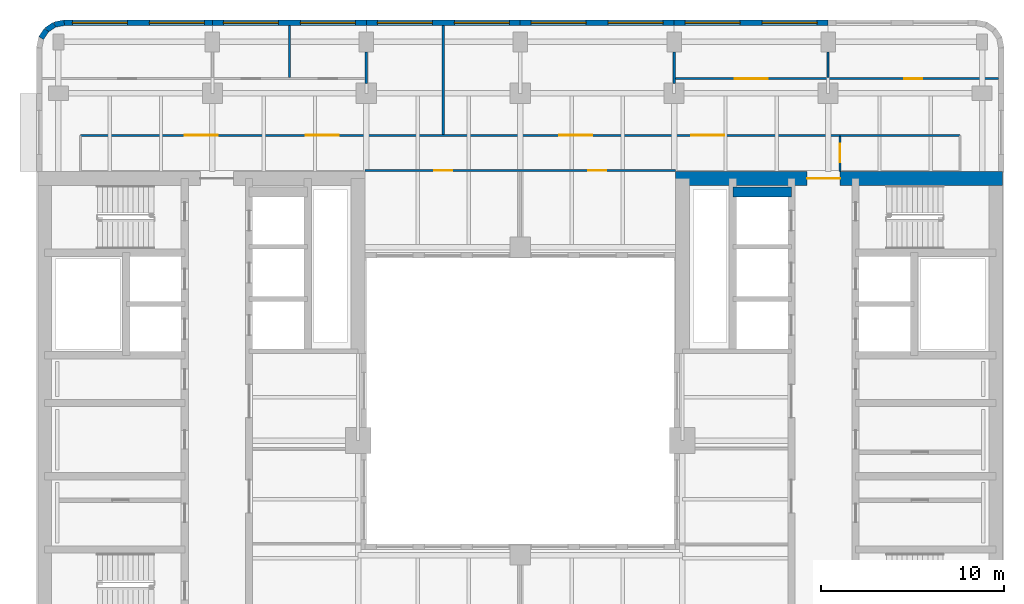
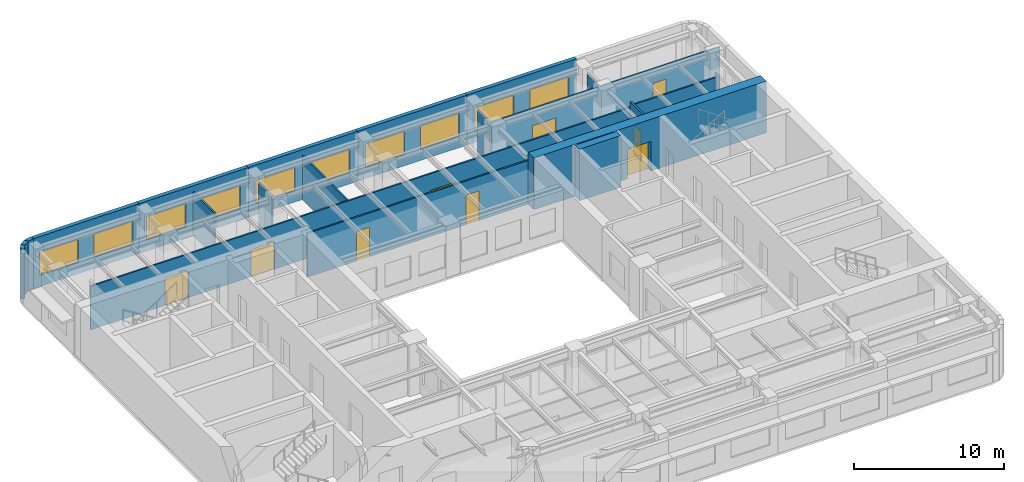
# One storey, part 7 of 11: 20 walls, 10 doors, 10 windows, 20 openings.
"""IFC4 building model written with IfcOpenShell, lengths in metres."""

import ifcopenshell
import ifcopenshell.guid

model = None  # the IFC model being written
_history = None  # IfcOwnerHistory: only IFC2X3 demands one
_inside = {}  # id of a spatial element -> (the spatial element, [elements in it])
_under = {}  # id of a project, library or spatial element -> (it, [spatial elements below it])
_declared = {}  # id of a project -> (the project, [libraries it declares])
_typed = {}  # id of a type object -> (the type object, [elements of that type])
_made_of = {}  # id of a material, layer set ... -> (it, [elements and type objects made of it])


def new_model(schema):
    """Start an empty IFC model of exactly this schema.

    Asked for "IFC4X3", IfcOpenShell would pick the latest addendum, in which some entities
    have other attributes; the version numbers below select the first issue.
    IFC2X3 requires an IfcOwnerHistory on every rooted entity: one is made here for all.
    """
    global model, _history
    if schema == "IFC4X3":
        model = ifcopenshell.file(schema_version=(4, 3, 0, 0))
    else:
        model = ifcopenshell.file(schema=schema)
    _inside.clear()
    _under.clear()
    _declared.clear()
    _typed.clear()
    _made_of.clear()
    _history = None
    if model.schema == "IFC2X3":
        org = make("IfcOrganization", Name="unknown")
        user = make(
            "IfcPersonAndOrganization",
            ThePerson=make("IfcPerson", FamilyName="unknown"),
            TheOrganization=org,
        )
        app = make(
            "IfcApplication",
            ApplicationDeveloper=org,
            Version="unknown",
            ApplicationFullName="unknown",
            ApplicationIdentifier="unknown",
        )
        _history = make(
            "IfcOwnerHistory",
            OwningUser=user,
            OwningApplication=app,
            ChangeAction="ADDED",
            CreationDate=0,
        )
    return model


def make(cls, **values):
    """One entity of the class cls with the attributes given. An attribute that is None is left unset."""
    return model.create_entity(
        cls, **{name: value for name, value in values.items() if value is not None}
    )


def rooted(cls, **values):
    """An entity with a GlobalId (a new one), such as an element, a storey or a relation."""
    return make(cls, GlobalId=ifcopenshell.guid.new(), OwnerHistory=_history, **values)


def si_unit(unit_type, name, prefix=None):
    """IfcSIUnit, for example si_unit("LENGTHUNIT", "METRE", prefix="MILLI")."""
    return make("IfcSIUnit", UnitType=unit_type, Prefix=prefix, Name=name)


def assignment(units):
    """IfcUnitAssignment: the units of a project."""
    return None if units is None else make("IfcUnitAssignment", Units=units)


def point(xyz):
    """IfcCartesianPoint."""
    return None if xyz is None else make("IfcCartesianPoint", Coordinates=xyz)


def direction(xyz):
    """IfcDirection."""
    return None if xyz is None else make("IfcDirection", DirectionRatios=xyz)


def frame(location, z_axis=None, x_axis=None):
    """IfcAxis2Placement3D, a coordinate frame: its origin and axes. An axis left out is left unset."""
    return make(
        "IfcAxis2Placement3D",
        Location=point(location),
        Axis=direction(z_axis),
        RefDirection=direction(x_axis),
    )


def frame_2d(location, x_axis=None):
    """IfcAxis2Placement2D, a coordinate frame in the plane: its origin and x axis."""
    return make(
        "IfcAxis2Placement2D", Location=point(location), RefDirection=direction(x_axis)
    )


def origin():
    """The frame at (0, 0, 0) with its axes left unset."""
    return frame((0.0, 0.0, 0.0))


def place(relative_to, where):
    """IfcLocalPlacement: puts the frame where relative to a parent placement (None: the world)."""
    return make(
        "IfcLocalPlacement", PlacementRelTo=relative_to, RelativePlacement=where
    )


def context(
    kind, dimensions, precision=None, world=None, true_north=None, identifier=None
):
    """IfcGeometricRepresentationContext, for example the 3D "Model" context."""
    return make(
        "IfcGeometricRepresentationContext",
        ContextIdentifier=identifier,
        ContextType=kind,
        CoordinateSpaceDimension=dimensions,
        Precision=precision,
        WorldCoordinateSystem=world,
        TrueNorth=true_north,
    )


def subcontext(parent, identifier, kind, view, scale=None):
    """IfcGeometricRepresentationSubContext, for example "Body" below "Model"."""
    return make(
        "IfcGeometricRepresentationSubContext",
        ContextIdentifier=identifier,
        ContextType=kind,
        ParentContext=parent,
        TargetScale=scale,
        TargetView=view,
    )


def project(units=None, contexts=None):
    """IfcProject with its units and contexts."""
    return rooted(
        "IfcProject",
        Name="project",
        RepresentationContexts=contexts,
        UnitsInContext=assignment(units),
    )


def spatial(cls, under=None, at=None, **own):
    """A site, building, storey or space (cls), placed at a placement, below another one or the project."""
    s = rooted(cls, ObjectPlacement=at, **own)
    if under is not None:
        _under.setdefault(under.id(), (under, []))[1].append(s)
    return s


def profile(cls, at=None, kind="AREA", **sizes):
    """A parametric profile (cls). Its sizes go by their IFC names, for example OverallWidth=200.0."""
    return make(cls, ProfileType=kind, Position=at, **sizes)


def rectangle(**sizes):
    """IfcRectangleProfileDef."""
    return profile("IfcRectangleProfileDef", **sizes)


def extrude(swept, where, along, depth):
    """IfcExtrudedAreaSolid: the profile swept, set in the frame where, extruded along a direction by depth."""
    return make(
        "IfcExtrudedAreaSolid",
        SweptArea=swept,
        Position=where,
        ExtrudedDirection=direction(along),
        Depth=depth,
    )


def shape(context_of_items, identifier, shape_type, items):
    """IfcShapeRepresentation: the items that make up one representation, for example the "Body"."""
    return make(
        "IfcShapeRepresentation",
        ContextOfItems=context_of_items,
        RepresentationIdentifier=identifier,
        RepresentationType=shape_type,
        Items=items,
    )


def material(Name=None, Category=None):
    """IfcMaterial."""
    return make("IfcMaterial", Name=Name, Category=Category)


def layer(
    of_material, thickness, ventilated=None, Name=None, Category=None, Priority=None
):
    """IfcMaterialLayer: one layer of a wall or slab, of a material (None: an air gap)."""
    return make(
        "IfcMaterialLayer",
        Material=of_material,
        LayerThickness=thickness,
        IsVentilated=ventilated,
        Name=Name,
        Category=Category,
        Priority=Priority,
    )


def layer_set(layers, Name=None):
    """IfcMaterialLayerSet."""
    return make("IfcMaterialLayerSet", MaterialLayers=layers, LayerSetName=Name)


def made_of(thing, what):
    """Note that an element or type object is made of a material, layer set ...; save() writes the relation."""
    if what is not None:
        _made_of.setdefault(what.id(), (what, []))[1].append(thing)
    return thing


def type_object(cls, material=None, **own):
    """A type object (cls), such as IfcWallType, which elements share."""
    return made_of(rooted(cls, **own), material)


def element(
    cls,
    number,
    at=None,
    inside=None,
    cuts=None,
    type_object=None,
    material=None,
    context=None,
    identifier="Body",
    shape_type=None,
    held_by="IfcProductDefinitionShape",
    body=None,
    shapes=None,
    **own,
):
    """One element of the class cls, such as IfcWall. Its Tag is "e" and its number.

    at: its placement. inside: the storey or other place that contains it. cuts: it is an
    opening in that element (IfcRelVoidsElement). A single representation is given by context,
    identifier, shape_type and body (its items); several are given by shapes. held_by: the class
    of the entity that holds the representations. save() writes the other relations.
    """
    e = rooted(cls, Tag="e%d" % number, ObjectPlacement=at, **own)
    if body is not None:
        shapes = [shape(context, identifier, shape_type, body)]
    if shapes is not None:
        e.Representation = make(held_by, Representations=shapes)
    if inside is not None:
        _inside.setdefault(inside.id(), (inside, []))[1].append(e)
    if cuts is not None:
        rooted(
            "IfcRelVoidsElement", RelatingBuildingElement=cuts, RelatedOpeningElement=e
        )
    if type_object is not None:
        _typed.setdefault(type_object.id(), (type_object, []))[1].append(e)
    return made_of(e, material)


def fill(opening, filler):
    """IfcRelFillsElement: the door or window that sits in an opening."""
    return rooted(
        "IfcRelFillsElement",
        RelatingOpeningElement=opening,
        RelatedBuildingElement=filler,
    )


def aggregate(whole, parts):
    """IfcRelAggregates: a whole, such as a stair, and the parts it consists of."""
    return rooted("IfcRelAggregates", RelatingObject=whole, RelatedObjects=parts)


def save(model, path):
    """Write the relations noted so far, then the file.

    IfcRelAggregates (storeys below a building ...), IfcRelContainedInSpatialStructure (elements
    in a storey), IfcRelDefinesByType, IfcRelAssociatesMaterial and IfcRelDeclares: one each for
    every whole, place, type object, material and project.
    """
    for whole, parts in _under.values():
        aggregate(whole, parts)
    for where, things in _inside.values():
        rooted(
            "IfcRelContainedInSpatialStructure",
            RelatedElements=things,
            RelatingStructure=where,
        )
    for kind, things in _typed.values():
        rooted("IfcRelDefinesByType", RelatedObjects=things, RelatingType=kind)
    for what, things in _made_of.values():
        rooted("IfcRelAssociatesMaterial", RelatedObjects=things, RelatingMaterial=what)
    for by, libraries in _declared.values():
        rooted("IfcRelDeclares", RelatingContext=by, RelatedDefinitions=libraries)
    model.write(path)


model = new_model("IFC4")

# Units and contexts
model_context = context("Model", 3, precision=1e-05, world=origin(), true_north=direction((0.0, 1.0)))
body_context = subcontext(model_context, "Body", "Model", "MODEL_VIEW")
ifc_project = project(units=[si_unit("LENGTHUNIT", "METRE"), si_unit("AREAUNIT", "SQUARE_METRE"), si_unit("VOLUMEUNIT", "CUBIC_METRE"), si_unit("PLANEANGLEUNIT", "RADIAN"), si_unit("MASSUNIT", "GRAM", prefix="KILO")], contexts=[model_context])

# Site, building, storey
site_placement = place(None, origin())
site = spatial("IfcSite", under=ifc_project, at=site_placement, CompositionType="ELEMENT")
building_placement = place(site_placement, origin())
building = spatial("IfcBuilding", under=site, at=building_placement, Name="Claustro Exchange Tower", CompositionType="ELEMENT")
storey_placement = place(building_placement, frame((0.0, 0.0, 211.199951171875)))
storey = spatial("IfcBuildingStorey", under=building, at=storey_placement, Name="L48", CompositionType="ELEMENT", Elevation=211.199951171875)

# Walls
ifc_material_1 = material(Name="Laminated glass in aluminium frame", Category="aluminium")
ifc_layer_1 = layer(ifc_material_1, 0.1201171875)
ifc_layer_set_1 = layer_set([ifc_layer_1], Name="Laminated glass in aluminium frame")
wall_type_1 = type_object("IfcWallType", Name="P2 120 glazed partition", PredefinedType="PARTITIONING", material=ifc_layer_set_1)
wall_1_placement = place(storey_placement, frame((12.60009765625, 42.85791015625, 0.0), z_axis=(0.0, 0.0, 1.0), x_axis=(0.0, 1.0, 0.0)))
element("IfcWall", 1, at=wall_1_placement, inside=storey, type_object=wall_type_1, Name="Partition P2 L48", PredefinedType="PARTITIONING", context=body_context, shape_type="SweptSolid", body=[
    extrude(rectangle(XDim=2.843994140625, YDim=0.1201171875, at=frame_2d((1.421875, 0.0))), origin(), (0.0, 0.0, 1.0), 3.56005859375),
])
wall_2_placement = place(storey_placement, frame((16.800048828125, 42.548095703125, 0.0), z_axis=(0.0, 0.0, 1.0), x_axis=(0.0, 1.0, 0.0)))
element("IfcWall", 2, at=wall_2_placement, inside=storey, type_object=wall_type_1, Name="Partition P2 L48", PredefinedType="PARTITIONING", context=body_context, shape_type="SweptSolid", body=[
    extrude(rectangle(XDim=1.702880859375, YDim=0.1201171875, at=frame_2d((0.8515625, 0.0))), origin(), (0.0, 0.0, 1.0), 3.68994140625),
])

# Wall, openings, doors
wall_3_placement = place(storey_placement, frame((33.60009765625, 42.800048828125, 0.0), z_axis=(0.0, 0.0, 1.0), x_axis=(1.0, 0.0, 0.0)))
wall_3 = element("IfcWall", 3, at=wall_3_placement, inside=storey, type_object=wall_type_1, Name="Partition P2 L48", PredefinedType="PARTITIONING", context=body_context, shape_type="SweptSolid", body=[
    extrude(rectangle(XDim=17.701904296875, YDim=0.1201171875, at=frame_2d((8.85107421875, 0.0))), origin(), (0.0, 0.0, 1.0), 3.56005859375),
])
opening_1_placement = place(wall_3_placement, frame((3.300048828125, 0.0, 0.0)))
opening_1 = element("IfcOpeningElement", 4, at=opening_1_placement, cuts=wall_3, Name="Opening D2", PredefinedType="OPENING", context=body_context, shape_type="SweptSolid", body=[
    extrude(rectangle(XDim=1.800048828125, YDim=2.199951171875, at=frame_2d((0.89990234375, 1.10009765625))), frame((0.0, 0.070068359375, 0.0), z_axis=(0.0, -1.0, 0.0), x_axis=(1.0, 0.0, 0.0)), (0.0, 0.0, 1.0), 0.14013671875),
])
opening_2_placement = place(wall_3_placement, frame((12.550048828125, 0.0, 0.0)))
opening_2 = element("IfcOpeningElement", 5, at=opening_2_placement, cuts=wall_3, Name="Opening D7", PredefinedType="OPENING", context=body_context, shape_type="SweptSolid", body=[
    extrude(rectangle(XDim=1.0, YDim=2.39990234375, at=frame_2d((0.5, 1.199951171875))), frame((0.0, 0.070068359375, 0.0), z_axis=(0.0, -1.0, 0.0), x_axis=(1.0, 0.0, 0.0)), (0.0, 0.0, 1.0), 0.14013671875),
])
ifc_material_2 = material(Name="Timber door, oak veneer", Category="wood")
door_type_1 = type_object("IfcDoorType", Name="D2 1800 x 2200 double door", OperationType="DOUBLE_DOOR_SINGLE_SWING", PredefinedType="DOOR", material=ifc_material_2)
door_1_placement = place(opening_1_placement, origin())
door_1 = element("IfcDoor", 6, at=door_1_placement, inside=storey, type_object=door_type_1, Name="Double door D2 L48", OperationType="DOUBLE_DOOR_SINGLE_SWING", OverallHeight=2.199951171875, OverallWidth=1.800048828125, PredefinedType="DOOR", context=body_context, shape_type="SweptSolid", body=[
    extrude(rectangle(XDim=1.800048828125, YDim=2.199951171875, at=frame_2d((0.89990234375, 1.10009765625))), frame((0.0, 0.02490234375, 0.0), z_axis=(0.0, -1.0, 0.0), x_axis=(1.0, 0.0, 0.0)), (0.0, 0.0, 1.0), 0.050048828125),
])
fill(opening_1, door_1)
ifc_material_3 = material(Name="Glass door in aluminium frame", Category="aluminium")
door_type_2 = type_object("IfcDoorType", Name="D7 1000 x 2400 glazed door", OperationType="SINGLE_SWING_LEFT", PredefinedType="DOOR", material=ifc_material_3)
door_2_placement = place(opening_2_placement, origin())
door_2 = element("IfcDoor", 7, at=door_2_placement, inside=storey, type_object=door_type_2, Name="Door D7 L48", OperationType="SINGLE_SWING_LEFT", OverallHeight=2.39990234375, OverallWidth=1.0, PredefinedType="DOOR", context=body_context, shape_type="SweptSolid", body=[
    extrude(rectangle(XDim=1.0, YDim=2.39990234375, at=frame_2d((0.5, 1.199951171875))), frame((0.0, 0.02490234375, 0.0), z_axis=(0.0, -1.0, 0.0), x_axis=(1.0, 0.0, 0.0)), (0.0, 0.0, 1.0), 0.050048828125),
])
fill(opening_2, door_2)

# Walls
wall_4_placement = place(storey_placement, frame((33.60009765625, 42.548095703125, 0.0), z_axis=(0.0, 0.0, 1.0), x_axis=(0.0, 1.0, 0.0)))
element("IfcWall", 8, at=wall_4_placement, inside=storey, type_object=wall_type_1, Name="Partition P2 L48", PredefinedType="PARTITIONING", context=body_context, shape_type="SweptSolid", body=[
    extrude(rectangle(XDim=1.702880859375, YDim=0.1201171875, at=frame_2d((0.8515625, 0.0))), origin(), (0.0, 0.0, 1.0), 3.68994140625),
])
wall_5_placement = place(storey_placement, frame((42.0, 42.85791015625, 0.0), z_axis=(0.0, 0.0, 1.0), x_axis=(0.0, 1.0, 0.0)))
element("IfcWall", 9, at=wall_5_placement, inside=storey, type_object=wall_type_1, Name="Partition P2 L48", PredefinedType="PARTITIONING", context=body_context, shape_type="SweptSolid", body=[
    extrude(rectangle(XDim=1.39306640625, YDim=0.1201171875, at=frame_2d((0.696533203125, 0.0))), origin(), (0.0, 0.0, 1.0), 3.68994140625),
])
wall_6_placement = place(storey_placement, frame((21.0, 39.758056640625, 0.0), z_axis=(0.0, 0.0, 1.0), x_axis=(0.0, 1.0, 0.0)))
element("IfcWall", 10, at=wall_6_placement, inside=storey, type_object=wall_type_1, Name="Partition P2 L48", PredefinedType="PARTITIONING", context=body_context, shape_type="SweptSolid", body=[
    extrude(rectangle(XDim=5.94384765625, YDim=0.1201171875, at=frame_2d((2.971923828125, 0.0))), origin(), (0.0, 0.0, 1.0), 3.550048828125),
])

# Wall, openings, doors
wall_7_placement = place(storey_placement, frame((1.199951171875, 39.699951171875, 0.0), z_axis=(0.0, 0.0, 1.0), x_axis=(1.0, 0.0, 0.0)))
wall_7 = element("IfcWall", 11, at=wall_7_placement, inside=storey, type_object=wall_type_1, Name="Partition P2 L48", PredefinedType="PARTITIONING", context=body_context, shape_type="SweptSolid", body=[
    extrude(rectangle(XDim=41.4521484375, YDim=0.1201171875, at=frame_2d((20.72607421875, 0.0))), origin(), (0.0, 0.0, 1.0), 3.550048828125),
])
opening_3_placement = place(wall_7_placement, frame((5.699951171875, 0.0, 0.0)))
opening_3 = element("IfcOpeningElement", 12, at=opening_3_placement, cuts=wall_7, Name="Opening D2", PredefinedType="OPENING", context=body_context, shape_type="SweptSolid", body=[
    extrude(rectangle(XDim=1.800048828125, YDim=2.199951171875, at=frame_2d((0.89990234375, 1.10009765625))), frame((0.0, 0.070068359375, 0.0), z_axis=(0.0, -1.0, 0.0), x_axis=(1.0, 0.0, 0.0)), (0.0, 0.0, 1.0), 0.14013671875),
])
opening_4_placement = place(wall_7_placement, frame((12.300048828125, 0.0, 0.0)))
opening_4 = element("IfcOpeningElement", 13, at=opening_4_placement, cuts=wall_7, Name="Opening D2", PredefinedType="OPENING", context=body_context, shape_type="SweptSolid", body=[
    extrude(rectangle(XDim=1.800048828125, YDim=2.199951171875, at=frame_2d((0.89990234375, 1.10009765625))), frame((0.0, 0.070068359375, 0.0), z_axis=(0.0, -1.0, 0.0), x_axis=(1.0, 0.0, 0.0)), (0.0, 0.0, 1.0), 0.14013671875),
])
opening_5_placement = place(wall_7_placement, frame((26.11669921875, 0.0, 0.0)))
opening_5 = element("IfcOpeningElement", 14, at=opening_5_placement, cuts=wall_7, Name="Opening D2", PredefinedType="OPENING", context=body_context, shape_type="SweptSolid", body=[
    extrude(rectangle(XDim=1.800048828125, YDim=2.199951171875, at=frame_2d((0.89990234375, 1.10009765625))), frame((0.0, 0.070068359375, 0.0), z_axis=(0.0, -1.0, 0.0), x_axis=(1.0, 0.0, 0.0)), (0.0, 0.0, 1.0), 0.14013671875),
])
opening_6_placement = place(wall_7_placement, frame((33.333251953125, 0.0, 0.0)))
opening_6 = element("IfcOpeningElement", 15, at=opening_6_placement, cuts=wall_7, Name="Opening D2", PredefinedType="OPENING", context=body_context, shape_type="SweptSolid", body=[
    extrude(rectangle(XDim=1.800048828125, YDim=2.199951171875, at=frame_2d((0.89990234375, 1.10009765625))), frame((0.0, 0.070068359375, 0.0), z_axis=(0.0, -1.0, 0.0), x_axis=(1.0, 0.0, 0.0)), (0.0, 0.0, 1.0), 0.14013671875),
])
door_3_placement = place(opening_3_placement, origin())
door_3 = element("IfcDoor", 16, at=door_3_placement, inside=storey, type_object=door_type_1, Name="Double door D2 L48", OperationType="DOUBLE_DOOR_SINGLE_SWING", OverallHeight=2.199951171875, OverallWidth=1.800048828125, PredefinedType="DOOR", context=body_context, shape_type="SweptSolid", body=[
    extrude(rectangle(XDim=1.800048828125, YDim=2.199951171875, at=frame_2d((0.89990234375, 1.10009765625))), frame((0.0, 0.02490234375, 0.0), z_axis=(0.0, -1.0, 0.0), x_axis=(1.0, 0.0, 0.0)), (0.0, 0.0, 1.0), 0.050048828125),
])
fill(opening_3, door_3)
door_4_placement = place(opening_4_placement, origin())
door_4 = element("IfcDoor", 17, at=door_4_placement, inside=storey, type_object=door_type_1, Name="Double door D2 L48", OperationType="DOUBLE_DOOR_SINGLE_SWING", OverallHeight=2.199951171875, OverallWidth=1.800048828125, PredefinedType="DOOR", context=body_context, shape_type="SweptSolid", body=[
    extrude(rectangle(XDim=1.800048828125, YDim=2.199951171875, at=frame_2d((0.89990234375, 1.10009765625))), frame((0.0, 0.02490234375, 0.0), z_axis=(0.0, -1.0, 0.0), x_axis=(1.0, 0.0, 0.0)), (0.0, 0.0, 1.0), 0.050048828125),
])
fill(opening_4, door_4)
door_5_placement = place(opening_5_placement, origin())
door_5 = element("IfcDoor", 18, at=door_5_placement, inside=storey, type_object=door_type_1, Name="Double door D2 L48", OperationType="DOUBLE_DOOR_SINGLE_SWING", OverallHeight=2.199951171875, OverallWidth=1.800048828125, PredefinedType="DOOR", context=body_context, shape_type="SweptSolid", body=[
    extrude(rectangle(XDim=1.800048828125, YDim=2.199951171875, at=frame_2d((0.89990234375, 1.10009765625))), frame((0.0, 0.02490234375, 0.0), z_axis=(0.0, -1.0, 0.0), x_axis=(1.0, 0.0, 0.0)), (0.0, 0.0, 1.0), 0.050048828125),
])
fill(opening_5, door_5)
door_6_placement = place(opening_6_placement, origin())
door_6 = element("IfcDoor", 19, at=door_6_placement, inside=storey, type_object=door_type_1, Name="Double door D2 L48", OperationType="DOUBLE_DOOR_SINGLE_SWING", OverallHeight=2.199951171875, OverallWidth=1.800048828125, PredefinedType="DOOR", context=body_context, shape_type="SweptSolid", body=[
    extrude(rectangle(XDim=1.800048828125, YDim=2.199951171875, at=frame_2d((0.89990234375, 1.10009765625))), frame((0.0, 0.02490234375, 0.0), z_axis=(0.0, -1.0, 0.0), x_axis=(1.0, 0.0, 0.0)), (0.0, 0.0, 1.0), 0.050048828125),
])
fill(opening_6, door_6)

# Wall, opening, door
wall_8_placement = place(storey_placement, frame((42.64990234375, 37.72412109375, 0.0), z_axis=(0.0, 0.0, 1.0), x_axis=(0.0, 1.0, 0.0)))
wall_8 = element("IfcWall", 20, at=wall_8_placement, inside=storey, type_object=wall_type_1, Name="Partition P2 L48", PredefinedType="PARTITIONING", context=body_context, shape_type="SweptSolid", body=[
    extrude(rectangle(XDim=1.91796875, YDim=0.1201171875, at=frame_2d((0.958984375, 0.0))), origin(), (0.0, 0.0, 1.0), 4.050048828125),
])
opening_7_placement = place(wall_8_placement, frame((0.52587890625, 0.0, 0.0)))
opening_7 = element("IfcOpeningElement", 21, at=opening_7_placement, cuts=wall_8, Name="Opening D7", PredefinedType="OPENING", context=body_context, shape_type="SweptSolid", body=[
    extrude(rectangle(XDim=1.0, YDim=2.39990234375, at=frame_2d((0.5, 1.199951171875))), frame((0.0, 0.070068359375, 0.0), z_axis=(0.0, -1.0, 0.0), x_axis=(1.0, 0.0, 0.0)), (0.0, 0.0, 1.0), 0.14013671875),
])
door_7_placement = place(opening_7_placement, frame((1.0, 0.0, 0.0), z_axis=(0.0, 0.0, 1.0), x_axis=(-1.0, 0.0, 0.0)))
door_7 = element("IfcDoor", 22, at=door_7_placement, inside=storey, type_object=door_type_2, Name="Door D7 L48", OperationType="SINGLE_SWING_RIGHT", OverallHeight=2.39990234375, OverallWidth=1.0, PredefinedType="DOOR", context=body_context, shape_type="SweptSolid", body=[
    extrude(rectangle(XDim=1.0, YDim=2.39990234375, at=frame_2d((0.5, 1.199951171875))), frame((0.0, 0.02490234375, 0.0), z_axis=(0.0, -1.0, 0.0), x_axis=(1.0, 0.0, 0.0)), (0.0, 0.0, 1.0), 0.050048828125),
])
fill(opening_7, door_7)

# Wall
wall_9_placement = place(storey_placement, frame((42.64794921875, 39.699951171875, 0.0), z_axis=(0.0, 0.0, 1.0), x_axis=(1.0, 0.0, 0.0)))
element("IfcWall", 23, at=wall_9_placement, inside=storey, type_object=wall_type_1, Name="Partition P2 L48", PredefinedType="PARTITIONING", context=body_context, shape_type="SweptSolid", body=[
    extrude(rectangle(XDim=6.552001953125, YDim=0.1201171875, at=frame_2d((3.27587890625, 0.0))), origin(), (0.0, 0.0, 1.0), 3.68994140625),
])

# Wall, openings, doors
wall_10_placement = place(storey_placement, frame((16.72509765625, 37.784912109375, 0.0), z_axis=(0.0, 0.0, 1.0), x_axis=(1.0, 0.0, 0.0)))
wall_10 = element("IfcWall", 24, at=wall_10_placement, inside=storey, type_object=wall_type_1, Name="Partition P2 L48", PredefinedType="PARTITIONING", context=body_context, shape_type="SweptSolid", body=[
    extrude(rectangle(XDim=16.949951171875, YDim=0.1201171875, at=frame_2d((8.47509765625, 0.0))), origin(), (0.0, 0.0, 1.0), 3.550048828125),
])
opening_8_placement = place(wall_10_placement, frame((3.77490234375, 0.0, 0.0)))
opening_8 = element("IfcOpeningElement", 25, at=opening_8_placement, cuts=wall_10, Name="Opening D7", PredefinedType="OPENING", context=body_context, shape_type="SweptSolid", body=[
    extrude(rectangle(XDim=1.0, YDim=2.39990234375, at=frame_2d((0.5, 1.199951171875))), frame((0.0, 0.070068359375, 0.0), z_axis=(0.0, -1.0, 0.0), x_axis=(1.0, 0.0, 0.0)), (0.0, 0.0, 1.0), 0.14013671875),
])
opening_9_placement = place(wall_10_placement, frame((12.175048828125, 0.0, 0.0)))
opening_9 = element("IfcOpeningElement", 26, at=opening_9_placement, cuts=wall_10, Name="Opening D7", PredefinedType="OPENING", context=body_context, shape_type="SweptSolid", body=[
    extrude(rectangle(XDim=1.0, YDim=2.39990234375, at=frame_2d((0.5, 1.199951171875))), frame((0.0, 0.070068359375, 0.0), z_axis=(0.0, -1.0, 0.0), x_axis=(1.0, 0.0, 0.0)), (0.0, 0.0, 1.0), 0.14013671875),
])
door_8_placement = place(opening_8_placement, frame((1.0, 0.0, 0.0), z_axis=(0.0, 0.0, 1.0), x_axis=(-1.0, 0.0, 0.0)))
door_8 = element("IfcDoor", 27, at=door_8_placement, inside=storey, type_object=door_type_2, Name="Door D7 L48", OperationType="SINGLE_SWING_LEFT", OverallHeight=2.39990234375, OverallWidth=1.0, PredefinedType="DOOR", context=body_context, shape_type="SweptSolid", body=[
    extrude(rectangle(XDim=1.0, YDim=2.39990234375, at=frame_2d((0.5, 1.199951171875))), frame((0.0, 0.02490234375, 0.0), z_axis=(0.0, -1.0, 0.0), x_axis=(1.0, 0.0, 0.0)), (0.0, 0.0, 1.0), 0.050048828125),
])
fill(opening_8, door_8)
door_9_placement = place(opening_9_placement, frame((1.0, 0.0, 0.0), z_axis=(0.0, 0.0, 1.0), x_axis=(-1.0, 0.0, 0.0)))
door_9 = element("IfcDoor", 28, at=door_9_placement, inside=storey, type_object=door_type_2, Name="Door D7 L48", OperationType="SINGLE_SWING_LEFT", OverallHeight=2.39990234375, OverallWidth=1.0, PredefinedType="DOOR", context=body_context, shape_type="SweptSolid", body=[
    extrude(rectangle(XDim=1.0, YDim=2.39990234375, at=frame_2d((0.5, 1.199951171875))), frame((0.0, 0.02490234375, 0.0), z_axis=(0.0, -1.0, 0.0), x_axis=(1.0, 0.0, 0.0)), (0.0, 0.0, 1.0), 0.050048828125),
])
fill(opening_9, door_9)

# Walls
ifc_material_4 = material(Name="Concrete HA-40 (C40/50), precast, white cement, acid-etched", Category="concrete")
ifc_layer_2 = layer(ifc_material_4, 0.300048828125)
ifc_layer_set_2 = layer_set([ifc_layer_2], Name="Concrete HA-40 (C40/50), precast, white cement, acid-etched")
wall_type_2 = type_object("IfcWallType", Name="PC1 300 precast concrete pier panel", PredefinedType="SOLIDWALL", material=ifc_layer_set_2)
wall_11_placement = place(storey_placement, frame((-0.944580078125, 45.015380859375, 0.0), z_axis=(0.0, 0.0, 1.0), x_axis=(0.55534295404, 0.831621430339, 0.0)))
element("IfcWall", 29, at=wall_11_placement, inside=storey, type_object=wall_type_2, Name="Precast pier panel PC1 L48", PredefinedType="SOLIDWALL", context=body_context, shape_type="SweptSolid", body=[
    extrude(rectangle(XDim=0.52587890625, YDim=0.300048828125, at=frame_2d((0.262939453125, 0.0))), origin(), (0.0, 0.0, 1.0), 4.050048828125),
])
wall_12_placement = place(storey_placement, frame((-0.652587890625, 45.45263671875, 0.0), z_axis=(0.0, 0.0, 1.0), x_axis=(0.831692711774, 0.555236195849, 0.0)))
element("IfcWall", 30, at=wall_12_placement, inside=storey, type_object=wall_type_2, Name="Precast pier panel PC1 L48", PredefinedType="SOLIDWALL", context=body_context, shape_type="SweptSolid", body=[
    extrude(rectangle(XDim=0.525390625, YDim=0.300048828125, at=frame_2d((0.2626953125, 0.0))), origin(), (0.0, 0.0, 1.0), 4.050048828125),
])
wall_13_placement = place(storey_placement, frame((-0.215576171875, 45.744384765625, 0.0), z_axis=(0.0, 0.0, 1.0), x_axis=(0.980702050465, 0.1955082817, 0.0)))
element("IfcWall", 31, at=wall_13_placement, inside=storey, type_object=wall_type_2, Name="Precast pier panel PC1 L48", PredefinedType="SOLIDWALL", context=body_context, shape_type="SweptSolid", body=[
    extrude(rectangle(XDim=0.540771484375, YDim=0.300048828125, at=frame_2d((0.2705078125, 0.0))), origin(), (0.0, 0.0, 1.0), 4.050048828125),
])

# Wall, openings, windows
wall_14_placement = place(storey_placement, frame((0.314697265625, 45.85009765625, 0.0), z_axis=(0.0, 0.0, 1.0), x_axis=(1.0, 0.0, 0.0)))
wall_14 = element("IfcWall", 32, at=wall_14_placement, inside=storey, type_object=wall_type_2, Name="Precast pier panel PC1 L48", PredefinedType="SOLIDWALL", context=body_context, shape_type="SweptSolid", body=[
    extrude(rectangle(XDim=8.085205078125, YDim=0.300048828125, at=frame_2d((4.04248046875, 0.0))), origin(), (0.0, 0.0, 1.0), 4.050048828125),
])
opening_10_placement = place(wall_14_placement, frame((0.442626953125, 0.0, 0.89990234375)))
opening_10 = element("IfcOpeningElement", 33, at=opening_10_placement, cuts=wall_14, Name="Opening W1", PredefinedType="OPENING", context=body_context, shape_type="SweptSolid", body=[
    extrude(rectangle(XDim=3.0, YDim=1.89990234375, at=frame_2d((1.5, 0.949951171875))), frame((0.0, 0.159912109375, 0.0), z_axis=(0.0, -1.0, 0.0), x_axis=(1.0, 0.0, 0.0)), (0.0, 0.0, 1.0), 0.320068359375),
])
opening_11_placement = place(wall_14_placement, frame((4.642578125, 0.0, 0.89990234375)))
opening_11 = element("IfcOpeningElement", 34, at=opening_11_placement, cuts=wall_14, Name="Opening W1", PredefinedType="OPENING", context=body_context, shape_type="SweptSolid", body=[
    extrude(rectangle(XDim=3.0, YDim=1.89990234375, at=frame_2d((1.5, 0.949951171875))), frame((0.0, 0.159912109375, 0.0), z_axis=(0.0, -1.0, 0.0), x_axis=(1.0, 0.0, 0.0)), (0.0, 0.0, 1.0), 0.320068359375),
])
ifc_material_5 = material(Name="Aluminium frame, clear double glazing", Category="aluminium")
window_type = type_object("IfcWindowType", Name="W1 3000 x 1900 window", PartitioningType="SINGLE_PANEL", PredefinedType="WINDOW", material=ifc_material_5)
window_1_placement = place(opening_10_placement, origin())
window_1 = element("IfcWindow", 35, at=window_1_placement, inside=storey, type_object=window_type, Name="Window W1 L48", OverallHeight=1.89990234375, OverallWidth=3.0, PartitioningType="SINGLE_PANEL", PredefinedType="WINDOW", context=body_context, shape_type="SweptSolid", body=[
    extrude(rectangle(XDim=3.0, YDim=1.89990234375, at=frame_2d((1.5, 0.949951171875))), frame((0.0, 0.030029296875, 0.0), z_axis=(0.0, -1.0, 0.0), x_axis=(1.0, 0.0, 0.0)), (0.0, 0.0, 1.0), 0.06005859375),
])
fill(opening_10, window_1)
window_2_placement = place(opening_11_placement, origin())
window_2 = element("IfcWindow", 36, at=window_2_placement, inside=storey, type_object=window_type, Name="Window W1 L48", OverallHeight=1.89990234375, OverallWidth=3.0, PartitioningType="SINGLE_PANEL", PredefinedType="WINDOW", context=body_context, shape_type="SweptSolid", body=[
    extrude(rectangle(XDim=3.0, YDim=1.89990234375, at=frame_2d((1.5, 0.949951171875))), frame((0.0, 0.030029296875, 0.0), z_axis=(0.0, -1.0, 0.0), x_axis=(1.0, 0.0, 0.0)), (0.0, 0.0, 1.0), 0.06005859375),
])
fill(opening_11, window_2)

wall_15_placement = place(storey_placement, frame((8.39990234375, 45.85009765625, 0.0), z_axis=(0.0, 0.0, 1.0), x_axis=(1.0, 0.0, 0.0)))
wall_15 = element("IfcWall", 37, at=wall_15_placement, inside=storey, type_object=wall_type_2, Name="Precast pier panel PC1 L48", PredefinedType="SOLIDWALL", context=body_context, shape_type="SweptSolid", body=[
    extrude(rectangle(XDim=8.400146484375, YDim=0.300048828125, at=frame_2d((4.2001953125, 0.0))), origin(), (0.0, 0.0, 1.0), 4.050048828125),
])
opening_12_placement = place(wall_15_placement, frame((0.60009765625, 0.0, 0.89990234375)))
opening_12 = element("IfcOpeningElement", 38, at=opening_12_placement, cuts=wall_15, Name="Opening W1", PredefinedType="OPENING", context=body_context, shape_type="SweptSolid", body=[
    extrude(rectangle(XDim=3.0, YDim=1.89990234375, at=frame_2d((1.5, 0.949951171875))), frame((0.0, 0.159912109375, 0.0), z_axis=(0.0, -1.0, 0.0), x_axis=(1.0, 0.0, 0.0)), (0.0, 0.0, 1.0), 0.320068359375),
])
opening_13_placement = place(wall_15_placement, frame((4.800048828125, 0.0, 0.89990234375)))
opening_13 = element("IfcOpeningElement", 39, at=opening_13_placement, cuts=wall_15, Name="Opening W1", PredefinedType="OPENING", context=body_context, shape_type="SweptSolid", body=[
    extrude(rectangle(XDim=3.0, YDim=1.89990234375, at=frame_2d((1.5, 0.949951171875))), frame((0.0, 0.159912109375, 0.0), z_axis=(0.0, -1.0, 0.0), x_axis=(1.0, 0.0, 0.0)), (0.0, 0.0, 1.0), 0.320068359375),
])
window_3_placement = place(opening_12_placement, origin())
window_3 = element("IfcWindow", 40, at=window_3_placement, inside=storey, type_object=window_type, Name="Window W1 L48", OverallHeight=1.89990234375, OverallWidth=3.0, PartitioningType="SINGLE_PANEL", PredefinedType="WINDOW", context=body_context, shape_type="SweptSolid", body=[
    extrude(rectangle(XDim=3.0, YDim=1.89990234375, at=frame_2d((1.5, 0.949951171875))), frame((0.0, 0.030029296875, 0.0), z_axis=(0.0, -1.0, 0.0), x_axis=(1.0, 0.0, 0.0)), (0.0, 0.0, 1.0), 0.06005859375),
])
fill(opening_12, window_3)
window_4_placement = place(opening_13_placement, origin())
window_4 = element("IfcWindow", 41, at=window_4_placement, inside=storey, type_object=window_type, Name="Window W1 L48", OverallHeight=1.89990234375, OverallWidth=3.0, PartitioningType="SINGLE_PANEL", PredefinedType="WINDOW", context=body_context, shape_type="SweptSolid", body=[
    extrude(rectangle(XDim=3.0, YDim=1.89990234375, at=frame_2d((1.5, 0.949951171875))), frame((0.0, 0.030029296875, 0.0), z_axis=(0.0, -1.0, 0.0), x_axis=(1.0, 0.0, 0.0)), (0.0, 0.0, 1.0), 0.06005859375),
])
fill(opening_13, window_4)

wall_16_placement = place(storey_placement, frame((16.800048828125, 45.85009765625, 0.0), z_axis=(0.0, 0.0, 1.0), x_axis=(1.0, 0.0, 0.0)))
wall_16 = element("IfcWall", 42, at=wall_16_placement, inside=storey, type_object=wall_type_2, Name="Precast pier panel PC1 L48", PredefinedType="SOLIDWALL", context=body_context, shape_type="SweptSolid", body=[
    extrude(rectangle(XDim=8.39990234375, YDim=0.300048828125, at=frame_2d((4.199951171875, 0.0))), origin(), (0.0, 0.0, 1.0), 4.050048828125),
])
opening_14_placement = place(wall_16_placement, frame((0.60009765625, 0.0, 0.89990234375)))
opening_14 = element("IfcOpeningElement", 43, at=opening_14_placement, cuts=wall_16, Name="Opening W1", PredefinedType="OPENING", context=body_context, shape_type="SweptSolid", body=[
    extrude(rectangle(XDim=3.0, YDim=1.89990234375, at=frame_2d((1.5, 0.949951171875))), frame((0.0, 0.159912109375, 0.0), z_axis=(0.0, -1.0, 0.0), x_axis=(1.0, 0.0, 0.0)), (0.0, 0.0, 1.0), 0.320068359375),
])
opening_15_placement = place(wall_16_placement, frame((4.800048828125, 0.0, 0.89990234375)))
opening_15 = element("IfcOpeningElement", 44, at=opening_15_placement, cuts=wall_16, Name="Opening W1", PredefinedType="OPENING", context=body_context, shape_type="SweptSolid", body=[
    extrude(rectangle(XDim=3.0, YDim=1.89990234375, at=frame_2d((1.5, 0.949951171875))), frame((0.0, 0.159912109375, 0.0), z_axis=(0.0, -1.0, 0.0), x_axis=(1.0, 0.0, 0.0)), (0.0, 0.0, 1.0), 0.320068359375),
])
window_5_placement = place(opening_14_placement, origin())
window_5 = element("IfcWindow", 45, at=window_5_placement, inside=storey, type_object=window_type, Name="Window W1 L48", OverallHeight=1.89990234375, OverallWidth=3.0, PartitioningType="SINGLE_PANEL", PredefinedType="WINDOW", context=body_context, shape_type="SweptSolid", body=[
    extrude(rectangle(XDim=3.0, YDim=1.89990234375, at=frame_2d((1.5, 0.949951171875))), frame((0.0, 0.030029296875, 0.0), z_axis=(0.0, -1.0, 0.0), x_axis=(1.0, 0.0, 0.0)), (0.0, 0.0, 1.0), 0.06005859375),
])
fill(opening_14, window_5)
window_6_placement = place(opening_15_placement, origin())
window_6 = element("IfcWindow", 46, at=window_6_placement, inside=storey, type_object=window_type, Name="Window W1 L48", OverallHeight=1.89990234375, OverallWidth=3.0, PartitioningType="SINGLE_PANEL", PredefinedType="WINDOW", context=body_context, shape_type="SweptSolid", body=[
    extrude(rectangle(XDim=3.0, YDim=1.89990234375, at=frame_2d((1.5, 0.949951171875))), frame((0.0, 0.030029296875, 0.0), z_axis=(0.0, -1.0, 0.0), x_axis=(1.0, 0.0, 0.0)), (0.0, 0.0, 1.0), 0.06005859375),
])
fill(opening_15, window_6)

wall_17_placement = place(storey_placement, frame((25.199951171875, 45.85009765625, 0.0), z_axis=(0.0, 0.0, 1.0), x_axis=(1.0, 0.0, 0.0)))
wall_17 = element("IfcWall", 47, at=wall_17_placement, inside=storey, type_object=wall_type_2, Name="Precast pier panel PC1 L48", PredefinedType="SOLIDWALL", context=body_context, shape_type="SweptSolid", body=[
    extrude(rectangle(XDim=8.400146484375, YDim=0.300048828125, at=frame_2d((4.2001953125, 0.0))), origin(), (0.0, 0.0, 1.0), 4.050048828125),
])
opening_16_placement = place(wall_17_placement, frame((0.60009765625, 0.0, 0.89990234375)))
opening_16 = element("IfcOpeningElement", 48, at=opening_16_placement, cuts=wall_17, Name="Opening W1", PredefinedType="OPENING", context=body_context, shape_type="SweptSolid", body=[
    extrude(rectangle(XDim=3.0, YDim=1.89990234375, at=frame_2d((1.5, 0.949951171875))), frame((0.0, 0.159912109375, 0.0), z_axis=(0.0, -1.0, 0.0), x_axis=(1.0, 0.0, 0.0)), (0.0, 0.0, 1.0), 0.320068359375),
])
opening_17_placement = place(wall_17_placement, frame((4.800048828125, 0.0, 0.89990234375)))
opening_17 = element("IfcOpeningElement", 49, at=opening_17_placement, cuts=wall_17, Name="Opening W1", PredefinedType="OPENING", context=body_context, shape_type="SweptSolid", body=[
    extrude(rectangle(XDim=3.0, YDim=1.89990234375, at=frame_2d((1.5, 0.949951171875))), frame((0.0, 0.159912109375, 0.0), z_axis=(0.0, -1.0, 0.0), x_axis=(1.0, 0.0, 0.0)), (0.0, 0.0, 1.0), 0.320068359375),
])
window_7_placement = place(opening_16_placement, origin())
window_7 = element("IfcWindow", 50, at=window_7_placement, inside=storey, type_object=window_type, Name="Window W1 L48", OverallHeight=1.89990234375, OverallWidth=3.0, PartitioningType="SINGLE_PANEL", PredefinedType="WINDOW", context=body_context, shape_type="SweptSolid", body=[
    extrude(rectangle(XDim=3.0, YDim=1.89990234375, at=frame_2d((1.5, 0.949951171875))), frame((0.0, 0.030029296875, 0.0), z_axis=(0.0, -1.0, 0.0), x_axis=(1.0, 0.0, 0.0)), (0.0, 0.0, 1.0), 0.06005859375),
])
fill(opening_16, window_7)
window_8_placement = place(opening_17_placement, origin())
window_8 = element("IfcWindow", 51, at=window_8_placement, inside=storey, type_object=window_type, Name="Window W1 L48", OverallHeight=1.89990234375, OverallWidth=3.0, PartitioningType="SINGLE_PANEL", PredefinedType="WINDOW", context=body_context, shape_type="SweptSolid", body=[
    extrude(rectangle(XDim=3.0, YDim=1.89990234375, at=frame_2d((1.5, 0.949951171875))), frame((0.0, 0.030029296875, 0.0), z_axis=(0.0, -1.0, 0.0), x_axis=(1.0, 0.0, 0.0)), (0.0, 0.0, 1.0), 0.06005859375),
])
fill(opening_17, window_8)

wall_18_placement = place(storey_placement, frame((33.60009765625, 45.85009765625, 0.0), z_axis=(0.0, 0.0, 1.0), x_axis=(1.0, 0.0, 0.0)))
wall_18 = element("IfcWall", 52, at=wall_18_placement, inside=storey, type_object=wall_type_2, Name="Precast pier panel PC1 L48", PredefinedType="SOLIDWALL", context=body_context, shape_type="SweptSolid", body=[
    extrude(rectangle(XDim=8.39990234375, YDim=0.300048828125, at=frame_2d((4.199951171875, 0.0))), origin(), (0.0, 0.0, 1.0), 4.050048828125),
])
opening_18_placement = place(wall_18_placement, frame((0.60009765625, 0.0, 0.89990234375)))
opening_18 = element("IfcOpeningElement", 53, at=opening_18_placement, cuts=wall_18, Name="Opening W1", PredefinedType="OPENING", context=body_context, shape_type="SweptSolid", body=[
    extrude(rectangle(XDim=3.0, YDim=1.89990234375, at=frame_2d((1.5, 0.949951171875))), frame((0.0, 0.159912109375, 0.0), z_axis=(0.0, -1.0, 0.0), x_axis=(1.0, 0.0, 0.0)), (0.0, 0.0, 1.0), 0.320068359375),
])
opening_19_placement = place(wall_18_placement, frame((4.800048828125, 0.0, 0.89990234375)))
opening_19 = element("IfcOpeningElement", 54, at=opening_19_placement, cuts=wall_18, Name="Opening W1", PredefinedType="OPENING", context=body_context, shape_type="SweptSolid", body=[
    extrude(rectangle(XDim=3.0, YDim=1.89990234375, at=frame_2d((1.5, 0.949951171875))), frame((0.0, 0.159912109375, 0.0), z_axis=(0.0, -1.0, 0.0), x_axis=(1.0, 0.0, 0.0)), (0.0, 0.0, 1.0), 0.320068359375),
])
window_9_placement = place(opening_18_placement, origin())
window_9 = element("IfcWindow", 55, at=window_9_placement, inside=storey, type_object=window_type, Name="Window W1 L48", OverallHeight=1.89990234375, OverallWidth=3.0, PartitioningType="SINGLE_PANEL", PredefinedType="WINDOW", context=body_context, shape_type="SweptSolid", body=[
    extrude(rectangle(XDim=3.0, YDim=1.89990234375, at=frame_2d((1.5, 0.949951171875))), frame((0.0, 0.030029296875, 0.0), z_axis=(0.0, -1.0, 0.0), x_axis=(1.0, 0.0, 0.0)), (0.0, 0.0, 1.0), 0.06005859375),
])
fill(opening_18, window_9)
window_10_placement = place(opening_19_placement, origin())
window_10 = element("IfcWindow", 56, at=window_10_placement, inside=storey, type_object=window_type, Name="Window W1 L48", OverallHeight=1.89990234375, OverallWidth=3.0, PartitioningType="SINGLE_PANEL", PredefinedType="WINDOW", context=body_context, shape_type="SweptSolid", body=[
    extrude(rectangle(XDim=3.0, YDim=1.89990234375, at=frame_2d((1.5, 0.949951171875))), frame((0.0, 0.030029296875, 0.0), z_axis=(0.0, -1.0, 0.0), x_axis=(1.0, 0.0, 0.0)), (0.0, 0.0, 1.0), 0.06005859375),
])
fill(opening_19, window_10)

# Wall, opening, door
ifc_material_6 = material(Name="Concrete HA-70 (C70/85)", Category="concrete")
ifc_layer_3 = layer(ifc_material_6, 0.75)
ifc_layer_set_3 = layer_set([ifc_layer_3], Name="Concrete HA-70 (C70/85)")
wall_type_3 = type_object("IfcWallType", Name="SW2 750 core shear wall", PredefinedType="SHEAR", material=ifc_layer_set_3)
wall_19_placement = place(storey_placement, frame((33.675048828125, 37.35009765625, 0.0), z_axis=(0.0, 0.0, 1.0), x_axis=(1.0, 0.0, 0.0)))
wall_19 = element("IfcWall", 57, at=wall_19_placement, inside=storey, type_object=wall_type_3, Name="Core wall SW2 E core N face L48", PredefinedType="SHEAR", context=body_context, shape_type="SweptSolid", body=[
    extrude(rectangle(XDim=17.849853515625, YDim=0.75, at=frame_2d((8.9248046875, 0.0))), origin(), (0.0, 0.0, 1.0), 4.199951171875),
])
opening_20_placement = place(wall_19_placement, frame((7.175048828125, 0.0, 0.0)))
opening_20 = element("IfcOpeningElement", 58, at=opening_20_placement, cuts=wall_19, Name="Opening D3", PredefinedType="OPENING", context=body_context, shape_type="SweptSolid", body=[
    extrude(rectangle(XDim=1.800048828125, YDim=2.39990234375, at=frame_2d((0.89990234375, 1.199951171875))), frame((0.0, 0.385009765625, 0.0), z_axis=(0.0, -1.0, 0.0), x_axis=(1.0, 0.0, 0.0)), (0.0, 0.0, 1.0), 0.77001953125),
])
ifc_material_7 = material(Name="Steel fire door, painted", Category="steel")
door_type_3 = type_object("IfcDoorType", Name="D3 1800 x 2400 fire-rated lobby double door", OperationType="DOUBLE_DOOR_SINGLE_SWING", PredefinedType="DOOR", material=ifc_material_7)
door_10_placement = place(opening_20_placement, frame((1.800048828125, 0.0, 0.0), z_axis=(0.0, 0.0, 1.0), x_axis=(-1.0, 0.0, 0.0)))
door_10 = element("IfcDoor", 59, at=door_10_placement, inside=storey, type_object=door_type_3, Name="Lift lobby door D3 L48", OperationType="DOUBLE_DOOR_SINGLE_SWING", OverallHeight=2.39990234375, OverallWidth=1.800048828125, PredefinedType="DOOR", context=body_context, shape_type="SweptSolid", body=[
    extrude(rectangle(XDim=1.800048828125, YDim=2.39990234375, at=frame_2d((0.89990234375, 1.199951171875))), frame((0.0, 0.02490234375, 0.0), z_axis=(0.0, -1.0, 0.0), x_axis=(1.0, 0.0, 0.0)), (0.0, 0.0, 1.0), 0.050048828125),
])
fill(opening_20, door_10)

# Wall
ifc_material_8 = material(Name="Concrete HA-50 (C50/60)", Category="concrete")
ifc_layer_4 = layer(ifc_material_8, 0.550048828125)
ifc_layer_set_4 = layer_set([ifc_layer_4], Name="Concrete HA-50 (C50/60)")
wall_type_4 = type_object("IfcWallType", Name="SW6 550 lift shaft end wall", PredefinedType="SHEAR", material=ifc_layer_set_4)
wall_20_placement = place(storey_placement, frame((40.0, 36.625, 0.0), z_axis=(0.0, 0.0, 1.0), x_axis=(-1.0, 0.0, 0.0)))
element("IfcWall", 60, at=wall_20_placement, inside=storey, type_object=wall_type_4, Name="Lift shaft wall E core L48", PredefinedType="SHEAR", context=body_context, shape_type="SweptSolid", body=[
    extrude(rectangle(XDim=3.199951171875, YDim=0.550048828125, at=frame_2d((1.60009765625, 0.0))), origin(), (0.0, 0.0, 1.0), 4.199951171875),
])

save(model, "model.ifc")
